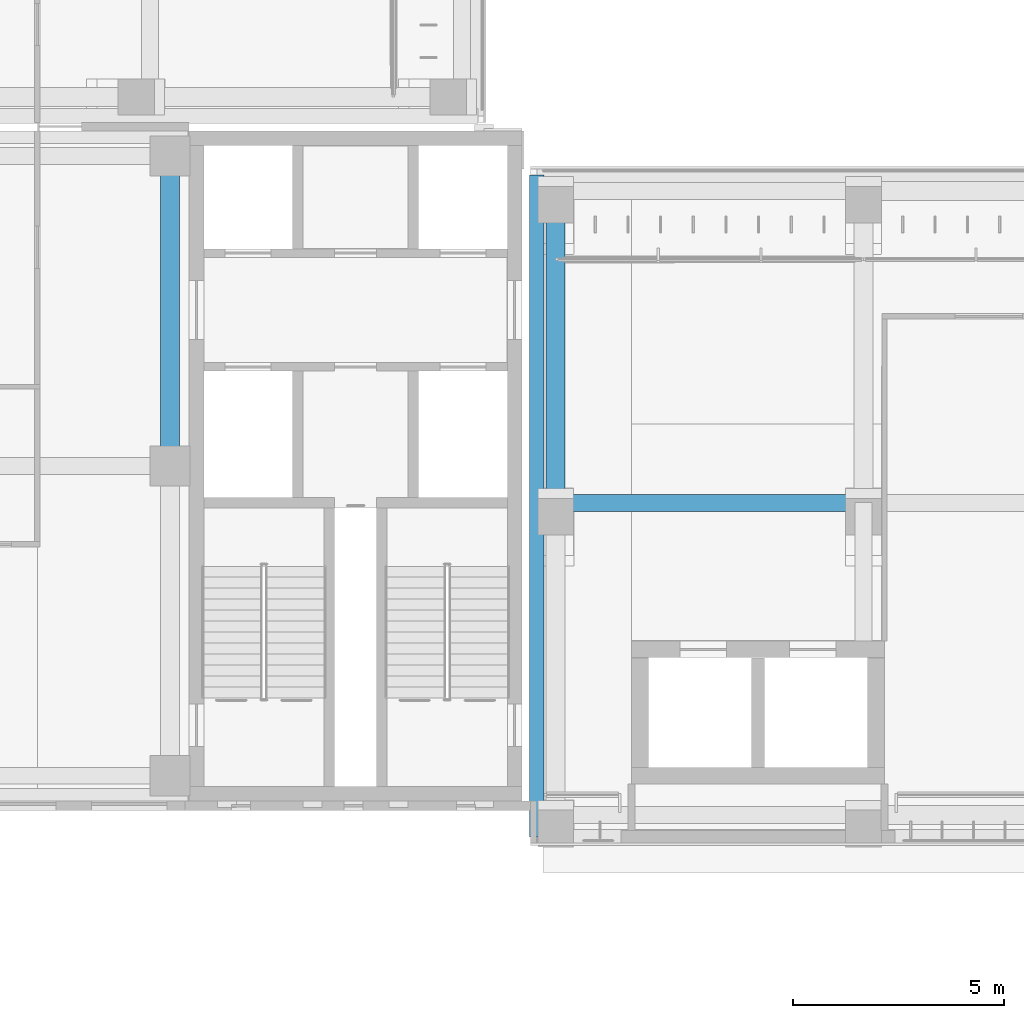
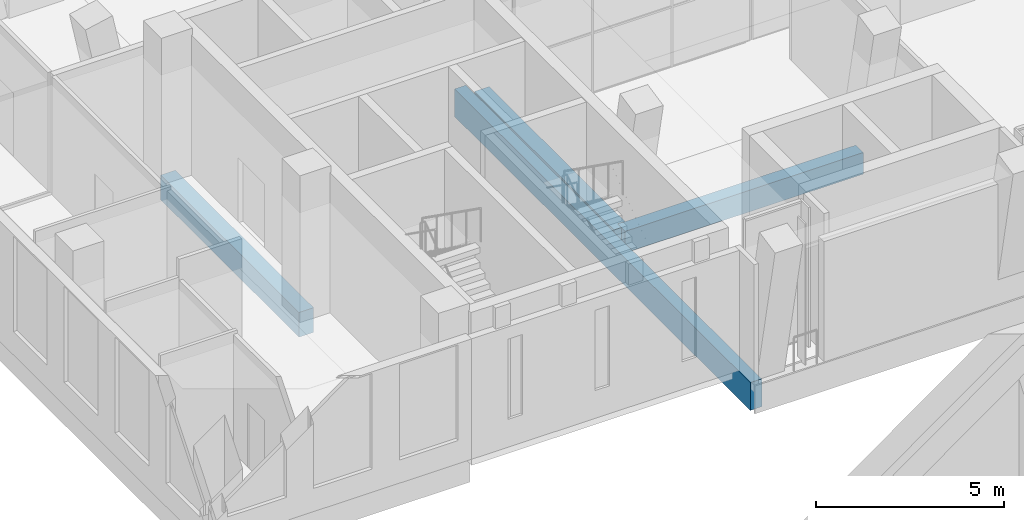
# One storey, part 7 of 92: 4 beams.
"""IFC4 building model written with IfcOpenShell, lengths in metres."""

from ifc_helpers import new_model, si_unit, direction, frame, origin, origin_2d, place, context, subcontext, project, spatial, rectangle, extrude, material, material_profile, profile_set, type_object, element, save


model = new_model("IFC4")

# Units and contexts
model_context = context("Model", 3, precision=1e-05, world=origin(), true_north=direction((0.0, 1.0)))
body_context = subcontext(model_context, "Body", "Model", "MODEL_VIEW")
ifc_project = project(units=[si_unit("LENGTHUNIT", "METRE"), si_unit("AREAUNIT", "SQUARE_METRE"), si_unit("VOLUMEUNIT", "CUBIC_METRE"), si_unit("PLANEANGLEUNIT", "RADIAN"), si_unit("MASSUNIT", "GRAM", prefix="KILO")], contexts=[model_context])

# Site, building, storey
site_placement = place(None, origin())
site = spatial("IfcSite", under=ifc_project, at=site_placement, CompositionType="ELEMENT")
building_placement = place(site_placement, origin())
building = spatial("IfcBuilding", under=site, at=building_placement, Name="Lantern Court Media Centre", CompositionType="ELEMENT")
storey_placement = place(building_placement, frame((0.0, 0.0, 4.800048828125)))
storey = spatial("IfcBuildingStorey", under=building, at=storey_placement, Name="L01", CompositionType="ELEMENT", Elevation=4.800048828125)

# Beams
ifc_material = material(Name="Concrete C35", Category="concrete")
ifc_material_profile_1 = material_profile(ifc_material, rectangle(XDim=0.35009765625, YDim=0.89990234375, at=origin_2d()), Name="RC 350x900")
ifc_profile_set_1 = profile_set([ifc_material_profile_1], Name="Concrete C35")
beam_type_1 = type_object("IfcBeamType", Name="RC BEAM 350x900", PredefinedType="BEAM", material=ifc_profile_set_1)
beam_1_placement = place(storey_placement, frame((24.25, 47.14990234375, -0.449951171875), z_axis=(0.0, 1.0, 0.0), x_axis=(-1.0, 0.0, 0.0)))
element("IfcBeam", 1, at=beam_1_placement, inside=storey, type_object=beam_type_1, Name="EB-S-L01-C", PredefinedType="BEAM", context=body_context, shape_type="SweptSolid", body=[
    extrude(rectangle(XDim=0.35009765625, YDim=0.89990234375, at=origin_2d()), origin(), (0.0, 0.0, 1.0), 15.7001953125),
])
ifc_material_profile_2 = material_profile(ifc_material, rectangle(XDim=0.39990234375, YDim=0.699951171875, at=origin_2d()), Name="RC 400x700")
ifc_profile_set_2 = profile_set([ifc_material_profile_2], Name="Concrete C35")
beam_type_2 = type_object("IfcBeamType", Name="RC BEAM 400x700", PredefinedType="BEAM", material=ifc_profile_set_2)
beam_2_placement = place(storey_placement, frame((24.699951171875, 55.072998046875, -0.35009765625), z_axis=(1.0, 0.0, 0.0), x_axis=(0.0, 1.0, 0.0)))
element("IfcBeam", 2, at=beam_2_placement, inside=storey, type_object=beam_type_2, Name="LB-S-L01-1-0", PredefinedType="BEAM", context=body_context, shape_type="SweptSolid", body=[
    extrude(rectangle(XDim=0.39990234375, YDim=0.699951171875, at=origin_2d()), origin(), (0.0, 0.0, 1.0), 7.300048828125),
])
ifc_material_profile_3 = material_profile(ifc_material, rectangle(XDim=0.449951171875, YDim=0.800048828125, at=origin_2d()), Name="RC 450x800")
ifc_profile_set_3 = profile_set([ifc_material_profile_3], Name="Concrete C35")
beam_type_3 = type_object("IfcBeamType", Name="RC BEAM 450x800", PredefinedType="BEAM", material=ifc_profile_set_3)
beam_3_placement = place(storey_placement, frame((15.550048828125, 55.949951171875, -0.400146484375), z_axis=(0.0, 1.0, 0.0), x_axis=(-1.0, 0.0, 0.0)))
element("IfcBeam", 3, at=beam_3_placement, inside=storey, type_object=beam_type_3, Name="BB-SW-L01-X1-15", PredefinedType="BEAM", context=body_context, shape_type="SweptSolid", body=[
    extrude(rectangle(XDim=0.449951171875, YDim=0.800048828125, at=origin_2d()), origin(), (0.0, 0.0, 1.0), 7.35009765625),
])
beam_4_placement = place(storey_placement, frame((24.699951171875, 55.083251953125, -0.400146484375), z_axis=(0.0, 1.0, 0.0), x_axis=(-1.0, 0.0, 0.0)))
element("IfcBeam", 4, at=beam_4_placement, inside=storey, type_object=beam_type_3, Name="TB-S-L01-0-2", PredefinedType="BEAM", context=body_context, shape_type="SweptSolid", body=[
    extrude(rectangle(XDim=0.449951171875, YDim=0.800048828125, at=origin_2d()), origin(), (0.0, 0.0, 1.0), 7.400146484375),
])

save(model, "model.ifc")
